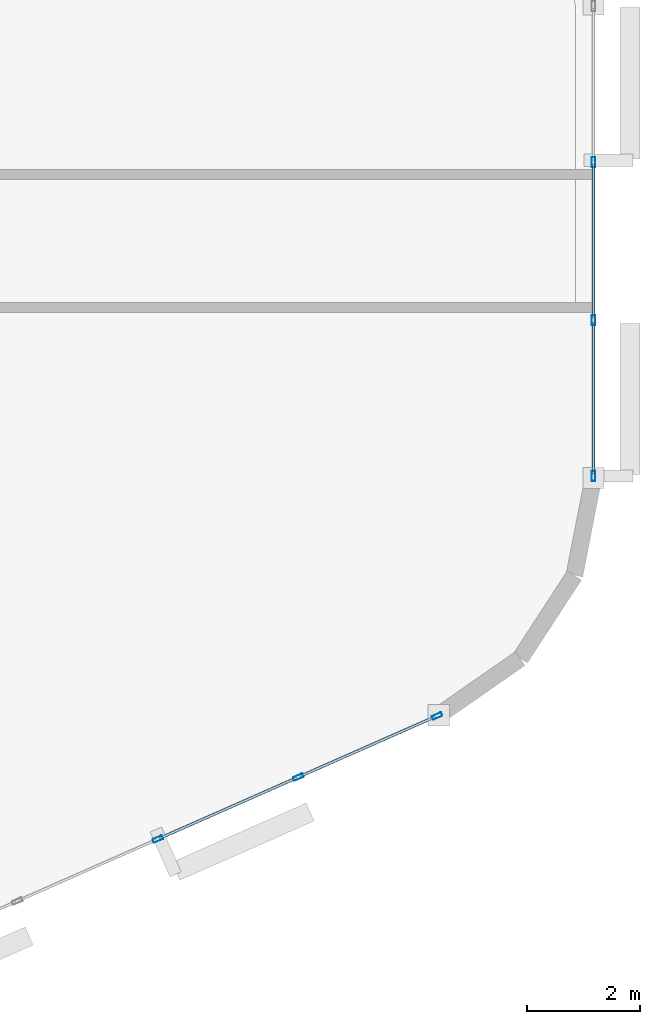
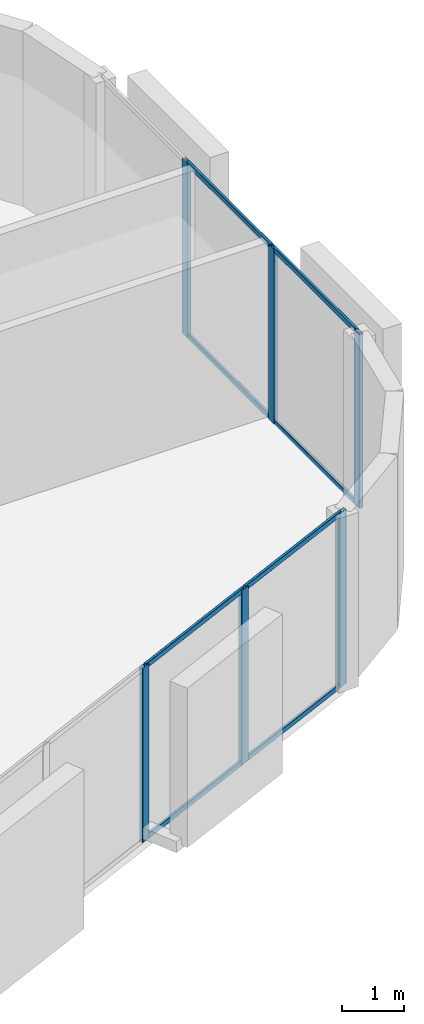
# One storey, part 4 of 12: 14 members, 2 elements without a shape of their own.
"""IFC4 building model written with IfcOpenShell, lengths in metres."""

from ifc_helpers import new_model, si_unit, direction, frame, origin, origin_2d, place, context, subcontext, project, spatial, hollow_rectangle, extrude, material, layer, layer_set, material_profile, profile_set, type_object, element, aggregate, save


model = new_model("IFC4")

# Units and contexts
model_context = context("Model", 3, precision=1e-05, world=origin(), true_north=direction((0.0, 1.0)))
body_context = subcontext(model_context, "Body", "Model", "MODEL_VIEW")
ifc_project = project(units=[si_unit("LENGTHUNIT", "METRE"), si_unit("AREAUNIT", "SQUARE_METRE"), si_unit("VOLUMEUNIT", "CUBIC_METRE"), si_unit("PLANEANGLEUNIT", "RADIAN"), si_unit("MASSUNIT", "GRAM", prefix="KILO")], contexts=[model_context])

# Site, building, storey
site_placement = place(None, origin())
site = spatial("IfcSite", under=ifc_project, at=site_placement, CompositionType="ELEMENT")
building_placement = place(site_placement, origin())
building = spatial("IfcBuilding", under=site, at=building_placement, Name="An Khanh Terracotta Commons", CompositionType="ELEMENT")
storey_placement = place(building_placement, frame((0.0, 0.0, 273.39990234375)))
storey = spatial("IfcBuildingStorey", under=building, at=storey_placement, Name="L71", CompositionType="ELEMENT", Elevation=273.39990234375)

# Curtain wall, members
ifc_material = material(Name="Anodised Aluminium 6063-T6", Category="aluminium")
ifc_layer = layer(ifc_material, 0.2099609375, Name="Anodised Aluminium 6063-T6")
ifc_layer_set = layer_set([ifc_layer], Name="Anodised Aluminium 6063-T6")
curtain_wall_type = type_object("IfcCurtainWallType", Name="CW-SYS-03", PredefinedType="USERDEFINED", material=ifc_layer_set)
curtain_wall_1_placement = place(storey_placement, origin())
curtain_wall_1 = element("IfcCurtainWall", 1, at=curtain_wall_1_placement, inside=storey, type_object=curtain_wall_type, Name="L71 CW-03 Unitised Curtain Wall CW-L71-08", ObjectType="UNITISED CURTAIN WALL", PredefinedType="USERDEFINED")
ifc_material_profile_1 = material_profile(ifc_material, hollow_rectangle(XDim=0.070068359375, YDim=0.179931640625, WallThickness=0.00390625, InnerFilletRadius=0.00390625, OuterFilletRadius=0.008056640625, at=origin_2d()), Name="RHS180x70x4")
ifc_profile_set_1 = profile_set([ifc_material_profile_1], Name="Anodised Aluminium 6063-T6")
member_type_1 = type_object("IfcMemberType", Name="CWM-RHS180x70x4", PredefinedType="MULLION", material=ifc_profile_set_1)
member_1_placement = place(storey_placement, frame((67.8720703125, 13.390380859375, 0.0), z_axis=(0.0, 0.0, 1.0), x_axis=(-0.403676354285, 0.914901853201, 0.0)))
member_1 = element("IfcMember", 2, at=member_1_placement, type_object=member_type_1, Name="CW-03 mullion 3", PredefinedType="MULLION", context=body_context, shape_type="SweptSolid", body=[
    extrude(hollow_rectangle(XDim=0.070068359375, YDim=0.179931640625, WallThickness=0.00390625, InnerFilletRadius=0.00390625, OuterFilletRadius=0.008056640625, at=origin_2d()), origin(), (0.0, 0.0, 1.0), 3.4501953125),
])
member_2_placement = place(storey_placement, frame((70.364501953125, 14.490234375, 0.0), z_axis=(0.0, 0.0, 1.0), x_axis=(-0.403676354285, 0.914901853201, 0.0)))
member_2 = element("IfcMember", 3, at=member_2_placement, type_object=member_type_1, Name="CW-03 mullion 4", PredefinedType="MULLION", context=body_context, shape_type="SweptSolid", body=[
    extrude(hollow_rectangle(XDim=0.070068359375, YDim=0.179931640625, WallThickness=0.00390625, InnerFilletRadius=0.00390625, OuterFilletRadius=0.008056640625, at=origin_2d()), origin(), (0.0, 0.0, 1.0), 3.4501953125),
])
member_3_placement = place(storey_placement, frame((72.824951171875, 15.575927734375, 0.0), z_axis=(0.0, 0.0, 1.0), x_axis=(-0.403676354285, 0.914901853201, 0.0)))
member_3 = element("IfcMember", 4, at=member_3_placement, type_object=member_type_1, Name="CW-03 mullion 5", PredefinedType="MULLION", context=body_context, shape_type="SweptSolid", body=[
    extrude(hollow_rectangle(XDim=0.070068359375, YDim=0.179931640625, WallThickness=0.00390625, InnerFilletRadius=0.00390625, OuterFilletRadius=0.008056640625, at=origin_2d()), origin(), (0.0, 0.0, 1.0), 3.4501953125),
])

curtain_wall_2_placement = place(storey_placement, origin())
curtain_wall_2 = element("IfcCurtainWall", 5, at=curtain_wall_2_placement, inside=storey, type_object=curtain_wall_type, Name="L71 CW-03 Unitised Curtain Wall CW-L71-12", ObjectType="UNITISED CURTAIN WALL", PredefinedType="USERDEFINED")
member_4_placement = place(storey_placement, frame((75.60009765625, 19.8330078125, 0.0), z_axis=(0.0, 0.0, 1.0), x_axis=(-1.0, 0.0, 0.0)))
member_4 = element("IfcMember", 6, at=member_4_placement, type_object=member_type_1, Name="CW-03 mullion 1", PredefinedType="MULLION", context=body_context, shape_type="SweptSolid", body=[
    extrude(hollow_rectangle(XDim=0.070068359375, YDim=0.179931640625, WallThickness=0.00390625, InnerFilletRadius=0.00390625, OuterFilletRadius=0.008056640625, at=origin_2d()), origin(), (0.0, 0.0, 1.0), 3.4501953125),
])
member_5_placement = place(storey_placement, frame((75.60009765625, 22.599365234375, 0.0), z_axis=(0.0, 0.0, 1.0), x_axis=(-1.0, 0.0, 0.0)))
member_5 = element("IfcMember", 7, at=member_5_placement, type_object=member_type_1, Name="CW-03 mullion 2", PredefinedType="MULLION", context=body_context, shape_type="SweptSolid", body=[
    extrude(hollow_rectangle(XDim=0.070068359375, YDim=0.179931640625, WallThickness=0.00390625, InnerFilletRadius=0.00390625, OuterFilletRadius=0.008056640625, at=origin_2d()), origin(), (0.0, 0.0, 1.0), 3.4501953125),
])
member_6_placement = place(storey_placement, frame((75.60009765625, 25.400634765625, 0.0), z_axis=(0.0, 0.0, 1.0), x_axis=(-1.0, 0.0, 0.0)))
member_6 = element("IfcMember", 8, at=member_6_placement, type_object=member_type_1, Name="CW-03 mullion 3", PredefinedType="MULLION", context=body_context, shape_type="SweptSolid", body=[
    extrude(hollow_rectangle(XDim=0.070068359375, YDim=0.179931640625, WallThickness=0.00390625, InnerFilletRadius=0.00390625, OuterFilletRadius=0.008056640625, at=origin_2d()), origin(), (0.0, 0.0, 1.0), 3.4501953125),
])

# Member
ifc_material_profile_2 = material_profile(ifc_material, hollow_rectangle(XDim=0.050048828125, YDim=0.10009765625, WallThickness=0.003173828125, InnerFilletRadius=0.003173828125, OuterFilletRadius=0.00634765625, at=origin_2d()), Name="RHS100x50x3.2")
ifc_profile_set_2 = profile_set([ifc_material_profile_2], Name="Anodised Aluminium 6063-T6")
member_type_2 = type_object("IfcMemberType", Name="CWT-RHS100x50x3.2", PredefinedType="USERDEFINED", material=ifc_profile_set_2)
member_7_placement = place(storey_placement, frame((67.904052734375, 13.404541015625, 0.025146484375), z_axis=(0.914896820753, 0.403687759755, 0.0), x_axis=(-0.403687759755, 0.914896820753, 0.0)))
member_7 = element("IfcMember", 9, at=member_7_placement, type_object=member_type_2, Name="CW-03 transom 3.1", ObjectType="TRANSOM", PredefinedType="USERDEFINED", context=body_context, shape_type="SweptSolid", body=[
    extrude(hollow_rectangle(XDim=0.050048828125, YDim=0.10009765625, WallThickness=0.003173828125, InnerFilletRadius=0.003173828125, OuterFilletRadius=0.00634765625, at=origin_2d()), origin(), (0.0, 0.0, 1.0), 2.654296875),
])

member_8_placement = place(storey_placement, frame((67.904052734375, 13.404541015625, 3.425048828125), z_axis=(0.914896820753, 0.403687759755, 0.0), x_axis=(-0.403687759755, 0.914896820753, 0.0)))
member_8 = element("IfcMember", 10, at=member_8_placement, type_object=member_type_2, Name="CW-03 transom 3.2", ObjectType="TRANSOM", PredefinedType="USERDEFINED", context=body_context, shape_type="SweptSolid", body=[
    extrude(hollow_rectangle(XDim=0.050048828125, YDim=0.10009765625, WallThickness=0.003173828125, InnerFilletRadius=0.003173828125, OuterFilletRadius=0.00634765625, at=origin_2d()), origin(), (0.0, 0.0, 1.0), 2.654296875),
])

member_9_placement = place(storey_placement, frame((70.396484375, 14.50439453125, 0.025146484375), z_axis=(0.914903627858, 0.403672332137, 0.0), x_axis=(-0.403672332137, 0.914903627858, 0.0)))
member_9 = element("IfcMember", 11, at=member_9_placement, type_object=member_type_2, Name="CW-03 transom 4.1", ObjectType="TRANSOM", PredefinedType="USERDEFINED", context=body_context, shape_type="SweptSolid", body=[
    extrude(hollow_rectangle(XDim=0.050048828125, YDim=0.10009765625, WallThickness=0.003173828125, InnerFilletRadius=0.003173828125, OuterFilletRadius=0.00634765625, at=origin_2d()), origin(), (0.0, 0.0, 1.0), 2.619384765625),
])

member_10_placement = place(storey_placement, frame((70.396484375, 14.50439453125, 3.425048828125), z_axis=(0.914903627858, 0.403672332137, 0.0), x_axis=(-0.403672332137, 0.914903627858, 0.0)))
member_10 = element("IfcMember", 12, at=member_10_placement, type_object=member_type_2, Name="CW-03 transom 4.2", ObjectType="TRANSOM", PredefinedType="USERDEFINED", context=body_context, shape_type="SweptSolid", body=[
    extrude(hollow_rectangle(XDim=0.050048828125, YDim=0.10009765625, WallThickness=0.003173828125, InnerFilletRadius=0.003173828125, OuterFilletRadius=0.00634765625, at=origin_2d()), origin(), (0.0, 0.0, 1.0), 2.619384765625),
])

aggregate(curtain_wall_1, [member_1, member_2, member_3, member_7, member_8, member_9, member_10])

member_11_placement = place(storey_placement, frame((75.60009765625, 19.867919921875, 0.025146484375), z_axis=(0.0, 1.0, 0.0), x_axis=(-1.0, 0.0, 0.0)))
member_11 = element("IfcMember", 13, at=member_11_placement, type_object=member_type_2, Name="CW-03 transom 1.1", ObjectType="TRANSOM", PredefinedType="USERDEFINED", context=body_context, shape_type="SweptSolid", body=[
    extrude(hollow_rectangle(XDim=0.050048828125, YDim=0.10009765625, WallThickness=0.003173828125, InnerFilletRadius=0.003173828125, OuterFilletRadius=0.00634765625, at=origin_2d()), origin(), (0.0, 0.0, 1.0), 2.696533203125),
])

member_12_placement = place(storey_placement, frame((75.60009765625, 19.867919921875, 3.425048828125), z_axis=(0.0, 1.0, 0.0), x_axis=(-1.0, 0.0, 0.0)))
member_12 = element("IfcMember", 14, at=member_12_placement, type_object=member_type_2, Name="CW-03 transom 1.2", ObjectType="TRANSOM", PredefinedType="USERDEFINED", context=body_context, shape_type="SweptSolid", body=[
    extrude(hollow_rectangle(XDim=0.050048828125, YDim=0.10009765625, WallThickness=0.003173828125, InnerFilletRadius=0.003173828125, OuterFilletRadius=0.00634765625, at=origin_2d()), origin(), (0.0, 0.0, 1.0), 2.696533203125),
])

member_13_placement = place(storey_placement, frame((75.60009765625, 22.63427734375, 0.025146484375), z_axis=(0.0, 1.0, 0.0), x_axis=(-1.0, 0.0, 0.0)))
member_13 = element("IfcMember", 15, at=member_13_placement, type_object=member_type_2, Name="CW-03 transom 2.1", ObjectType="TRANSOM", PredefinedType="USERDEFINED", context=body_context, shape_type="SweptSolid", body=[
    extrude(hollow_rectangle(XDim=0.050048828125, YDim=0.10009765625, WallThickness=0.003173828125, InnerFilletRadius=0.003173828125, OuterFilletRadius=0.00634765625, at=origin_2d()), origin(), (0.0, 0.0, 1.0), 2.7314453125),
])

member_14_placement = place(storey_placement, frame((75.60009765625, 22.63427734375, 3.425048828125), z_axis=(0.0, 1.0, 0.0), x_axis=(-1.0, 0.0, 0.0)))
member_14 = element("IfcMember", 16, at=member_14_placement, type_object=member_type_2, Name="CW-03 transom 2.2", ObjectType="TRANSOM", PredefinedType="USERDEFINED", context=body_context, shape_type="SweptSolid", body=[
    extrude(hollow_rectangle(XDim=0.050048828125, YDim=0.10009765625, WallThickness=0.003173828125, InnerFilletRadius=0.003173828125, OuterFilletRadius=0.00634765625, at=origin_2d()), origin(), (0.0, 0.0, 1.0), 2.7314453125),
])

aggregate(curtain_wall_2, [member_4, member_5, member_6, member_11, member_12, member_13, member_14])

save(model, "model.ifc")
